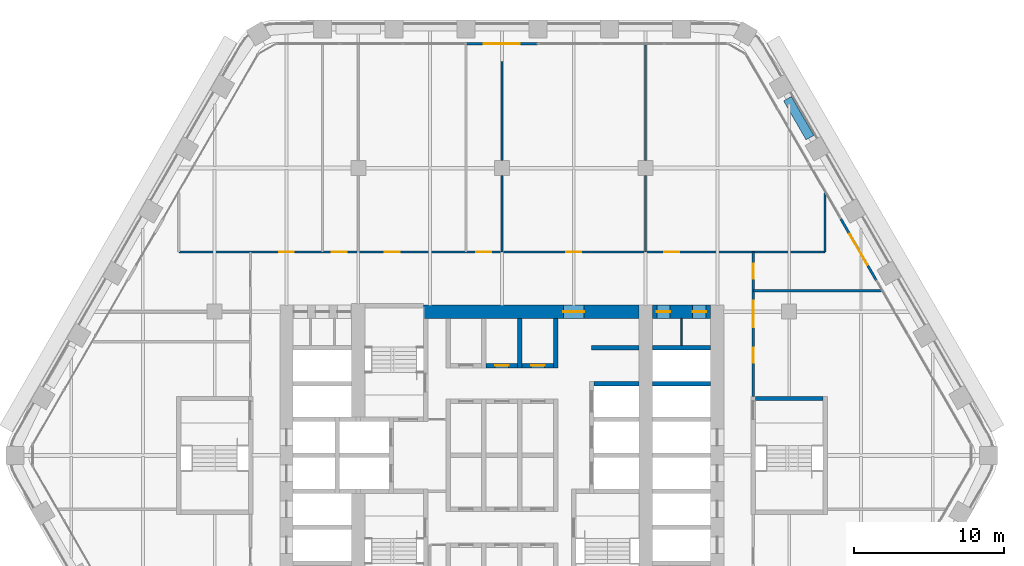
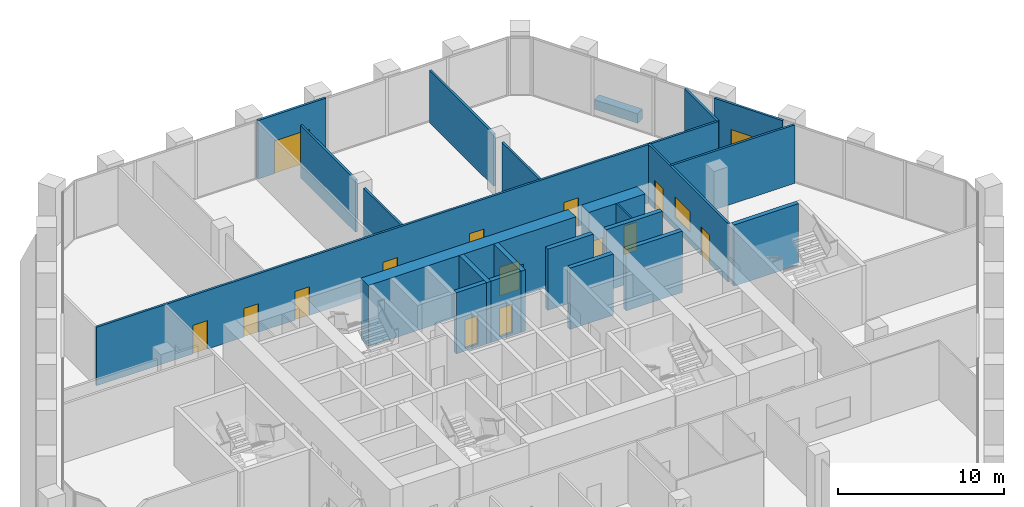
# One storey, part 16 of 22: 23 walls, 15 doors, 1 window, 16 openings.
"""IFC4 building model written with IfcOpenShell, lengths in metres."""

import ifcopenshell
import ifcopenshell.guid

model = None  # the IFC model being written
_history = None  # IfcOwnerHistory: only IFC2X3 demands one
_inside = {}  # id of a spatial element -> (the spatial element, [elements in it])
_under = {}  # id of a project, library or spatial element -> (it, [spatial elements below it])
_declared = {}  # id of a project -> (the project, [libraries it declares])
_typed = {}  # id of a type object -> (the type object, [elements of that type])
_made_of = {}  # id of a material, layer set ... -> (it, [elements and type objects made of it])


def new_model(schema):
    """Start an empty IFC model of exactly this schema.

    Asked for "IFC4X3", IfcOpenShell would pick the latest addendum, in which some entities
    have other attributes; the version numbers below select the first issue.
    IFC2X3 requires an IfcOwnerHistory on every rooted entity: one is made here for all.
    """
    global model, _history
    if schema == "IFC4X3":
        model = ifcopenshell.file(schema_version=(4, 3, 0, 0))
    else:
        model = ifcopenshell.file(schema=schema)
    _inside.clear()
    _under.clear()
    _declared.clear()
    _typed.clear()
    _made_of.clear()
    _history = None
    if model.schema == "IFC2X3":
        org = make("IfcOrganization", Name="unknown")
        user = make(
            "IfcPersonAndOrganization",
            ThePerson=make("IfcPerson", FamilyName="unknown"),
            TheOrganization=org,
        )
        app = make(
            "IfcApplication",
            ApplicationDeveloper=org,
            Version="unknown",
            ApplicationFullName="unknown",
            ApplicationIdentifier="unknown",
        )
        _history = make(
            "IfcOwnerHistory",
            OwningUser=user,
            OwningApplication=app,
            ChangeAction="ADDED",
            CreationDate=0,
        )
    return model


def make(cls, **values):
    """One entity of the class cls with the attributes given. An attribute that is None is left unset."""
    return model.create_entity(
        cls, **{name: value for name, value in values.items() if value is not None}
    )


def rooted(cls, **values):
    """An entity with a GlobalId (a new one), such as an element, a storey or a relation."""
    return make(cls, GlobalId=ifcopenshell.guid.new(), OwnerHistory=_history, **values)


def si_unit(unit_type, name, prefix=None):
    """IfcSIUnit, for example si_unit("LENGTHUNIT", "METRE", prefix="MILLI")."""
    return make("IfcSIUnit", UnitType=unit_type, Prefix=prefix, Name=name)


def assignment(units):
    """IfcUnitAssignment: the units of a project."""
    return None if units is None else make("IfcUnitAssignment", Units=units)


def point(xyz):
    """IfcCartesianPoint."""
    return None if xyz is None else make("IfcCartesianPoint", Coordinates=xyz)


def direction(xyz):
    """IfcDirection."""
    return None if xyz is None else make("IfcDirection", DirectionRatios=xyz)


def frame(location, z_axis=None, x_axis=None):
    """IfcAxis2Placement3D, a coordinate frame: its origin and axes. An axis left out is left unset."""
    return make(
        "IfcAxis2Placement3D",
        Location=point(location),
        Axis=direction(z_axis),
        RefDirection=direction(x_axis),
    )


def frame_2d(location, x_axis=None):
    """IfcAxis2Placement2D, a coordinate frame in the plane: its origin and x axis."""
    return make(
        "IfcAxis2Placement2D", Location=point(location), RefDirection=direction(x_axis)
    )


def origin():
    """The frame at (0, 0, 0) with its axes left unset."""
    return frame((0.0, 0.0, 0.0))


def place(relative_to, where):
    """IfcLocalPlacement: puts the frame where relative to a parent placement (None: the world)."""
    return make(
        "IfcLocalPlacement", PlacementRelTo=relative_to, RelativePlacement=where
    )


def context(
    kind, dimensions, precision=None, world=None, true_north=None, identifier=None
):
    """IfcGeometricRepresentationContext, for example the 3D "Model" context."""
    return make(
        "IfcGeometricRepresentationContext",
        ContextIdentifier=identifier,
        ContextType=kind,
        CoordinateSpaceDimension=dimensions,
        Precision=precision,
        WorldCoordinateSystem=world,
        TrueNorth=true_north,
    )


def subcontext(parent, identifier, kind, view, scale=None):
    """IfcGeometricRepresentationSubContext, for example "Body" below "Model"."""
    return make(
        "IfcGeometricRepresentationSubContext",
        ContextIdentifier=identifier,
        ContextType=kind,
        ParentContext=parent,
        TargetScale=scale,
        TargetView=view,
    )


def project(units=None, contexts=None):
    """IfcProject with its units and contexts."""
    return rooted(
        "IfcProject",
        Name="project",
        RepresentationContexts=contexts,
        UnitsInContext=assignment(units),
    )


def spatial(cls, under=None, at=None, **own):
    """A site, building, storey or space (cls), placed at a placement, below another one or the project."""
    s = rooted(cls, ObjectPlacement=at, **own)
    if under is not None:
        _under.setdefault(under.id(), (under, []))[1].append(s)
    return s


def profile(cls, at=None, kind="AREA", **sizes):
    """A parametric profile (cls). Its sizes go by their IFC names, for example OverallWidth=200.0."""
    return make(cls, ProfileType=kind, Position=at, **sizes)


def rectangle(**sizes):
    """IfcRectangleProfileDef."""
    return profile("IfcRectangleProfileDef", **sizes)


def extrude(swept, where, along, depth):
    """IfcExtrudedAreaSolid: the profile swept, set in the frame where, extruded along a direction by depth."""
    return make(
        "IfcExtrudedAreaSolid",
        SweptArea=swept,
        Position=where,
        ExtrudedDirection=direction(along),
        Depth=depth,
    )


def shape(context_of_items, identifier, shape_type, items):
    """IfcShapeRepresentation: the items that make up one representation, for example the "Body"."""
    return make(
        "IfcShapeRepresentation",
        ContextOfItems=context_of_items,
        RepresentationIdentifier=identifier,
        RepresentationType=shape_type,
        Items=items,
    )


def material(Name=None, Category=None):
    """IfcMaterial."""
    return make("IfcMaterial", Name=Name, Category=Category)


def layer(
    of_material, thickness, ventilated=None, Name=None, Category=None, Priority=None
):
    """IfcMaterialLayer: one layer of a wall or slab, of a material (None: an air gap)."""
    return make(
        "IfcMaterialLayer",
        Material=of_material,
        LayerThickness=thickness,
        IsVentilated=ventilated,
        Name=Name,
        Category=Category,
        Priority=Priority,
    )


def layer_set(layers, Name=None):
    """IfcMaterialLayerSet."""
    return make("IfcMaterialLayerSet", MaterialLayers=layers, LayerSetName=Name)


def made_of(thing, what):
    """Note that an element or type object is made of a material, layer set ...; save() writes the relation."""
    if what is not None:
        _made_of.setdefault(what.id(), (what, []))[1].append(thing)
    return thing


def type_object(cls, material=None, **own):
    """A type object (cls), such as IfcWallType, which elements share."""
    return made_of(rooted(cls, **own), material)


def element(
    cls,
    number,
    at=None,
    inside=None,
    cuts=None,
    type_object=None,
    material=None,
    context=None,
    identifier="Body",
    shape_type=None,
    held_by="IfcProductDefinitionShape",
    body=None,
    shapes=None,
    **own,
):
    """One element of the class cls, such as IfcWall. Its Tag is "e" and its number.

    at: its placement. inside: the storey or other place that contains it. cuts: it is an
    opening in that element (IfcRelVoidsElement). A single representation is given by context,
    identifier, shape_type and body (its items); several are given by shapes. held_by: the class
    of the entity that holds the representations. save() writes the other relations.
    """
    e = rooted(cls, Tag="e%d" % number, ObjectPlacement=at, **own)
    if body is not None:
        shapes = [shape(context, identifier, shape_type, body)]
    if shapes is not None:
        e.Representation = make(held_by, Representations=shapes)
    if inside is not None:
        _inside.setdefault(inside.id(), (inside, []))[1].append(e)
    if cuts is not None:
        rooted(
            "IfcRelVoidsElement", RelatingBuildingElement=cuts, RelatedOpeningElement=e
        )
    if type_object is not None:
        _typed.setdefault(type_object.id(), (type_object, []))[1].append(e)
    return made_of(e, material)


def fill(opening, filler):
    """IfcRelFillsElement: the door or window that sits in an opening."""
    return rooted(
        "IfcRelFillsElement",
        RelatingOpeningElement=opening,
        RelatedBuildingElement=filler,
    )


def aggregate(whole, parts):
    """IfcRelAggregates: a whole, such as a stair, and the parts it consists of."""
    return rooted("IfcRelAggregates", RelatingObject=whole, RelatedObjects=parts)


def save(model, path):
    """Write the relations noted so far, then the file.

    IfcRelAggregates (storeys below a building ...), IfcRelContainedInSpatialStructure (elements
    in a storey), IfcRelDefinesByType, IfcRelAssociatesMaterial and IfcRelDeclares: one each for
    every whole, place, type object, material and project.
    """
    for whole, parts in _under.values():
        aggregate(whole, parts)
    for where, things in _inside.values():
        rooted(
            "IfcRelContainedInSpatialStructure",
            RelatedElements=things,
            RelatingStructure=where,
        )
    for kind, things in _typed.values():
        rooted("IfcRelDefinesByType", RelatedObjects=things, RelatingType=kind)
    for what, things in _made_of.values():
        rooted("IfcRelAssociatesMaterial", RelatedObjects=things, RelatingMaterial=what)
    for by, libraries in _declared.values():
        rooted("IfcRelDeclares", RelatingContext=by, RelatedDefinitions=libraries)
    model.write(path)


model = new_model("IFC4")

# Units and contexts
model_context = context("Model", 3, precision=1e-05, world=origin(), true_north=direction((0.0, 1.0)))
body_context = subcontext(model_context, "Body", "Model", "MODEL_VIEW")
ifc_project = project(units=[si_unit("LENGTHUNIT", "METRE"), si_unit("AREAUNIT", "SQUARE_METRE"), si_unit("VOLUMEUNIT", "CUBIC_METRE"), si_unit("PLANEANGLEUNIT", "RADIAN"), si_unit("MASSUNIT", "GRAM", prefix="KILO")], contexts=[model_context])

# Site, building, storey
site_placement = place(None, origin())
site = spatial("IfcSite", under=ifc_project, at=site_placement, CompositionType="ELEMENT")
building_placement = place(site_placement, origin())
building = spatial("IfcBuilding", under=site, at=building_placement, Name="Kolab Exchange Tower", CompositionType="ELEMENT")
storey_placement = place(building_placement, frame((0.0, 0.0, 82.39990234375)))
storey = spatial("IfcBuildingStorey", under=building, at=storey_placement, Name="L15", CompositionType="ELEMENT", Elevation=82.39990234375)

# Wall, opening, door
ifc_material_1 = material(Name="Concrete C70/85", Category="concrete")
ifc_layer_1 = layer(ifc_material_1, 0.89990234375)
ifc_layer_set_1 = layer_set([ifc_layer_1], Name="Concrete C70/85")
wall_type_1 = type_object("IfcWallType", Name="CORE WALL 900 C70/85", PredefinedType="SHEAR", material=ifc_layer_set_1)
wall_1_placement = place(storey_placement, frame((-5.25, 9.60009765625, -0.199951171875), z_axis=(0.0, 0.0, 1.0), x_axis=(1.0, 0.0, 0.0)))
wall_1 = element("IfcWall", 1, at=wall_1_placement, inside=storey, type_object=wall_type_1, Name="wall/L15/core/052", PredefinedType="SHEAR", context=body_context, shape_type="SweptSolid", body=[
    extrude(rectangle(XDim=14.39990234375, YDim=0.89990234375, at=frame_2d((7.199951171875, 0.0))), origin(), (0.0, 0.0, 1.0), 4.5),
])
opening_1_placement = place(wall_1_placement, frame((9.35009765625, 0.0, 0.199951171875)))
opening_1 = element("IfcOpeningElement", 2, at=opening_1_placement, cuts=wall_1, Name="Opening D5-008", PredefinedType="OPENING", context=body_context, shape_type="SweptSolid", body=[
    extrude(rectangle(XDim=1.39990234375, YDim=2.10009765625, at=frame_2d((0.699951171875, 1.050048828125))), frame((0.0, 0.4599609375, 0.0), z_axis=(0.0, -1.0, 0.0), x_axis=(1.0, 0.0, 0.0)), (0.0, 0.0, 1.0), 0.919921875),
])
ifc_material_2 = material(Name="Steel S235", Category="steel")
door_type_1 = type_object("IfcDoorType", Name="CORE DOOR 1400 EI 120", OperationType="DOUBLE_DOOR_SINGLE_SWING", PredefinedType="DOOR", material=ifc_material_2)
door_1_placement = place(opening_1_placement, frame((1.39990234375, 0.0, 0.0), z_axis=(0.0, 0.0, 1.0), x_axis=(-1.0, 0.0, 0.0)))
door_1 = element("IfcDoor", 3, at=door_1_placement, inside=storey, type_object=door_type_1, Name="Core lobby door", OperationType="SINGLE_SWING_LEFT", OverallHeight=2.10009765625, OverallWidth=1.39990234375, PredefinedType="DOOR", context=body_context, shape_type="SweptSolid", body=[
    extrude(rectangle(XDim=1.39990234375, YDim=2.10009765625, at=frame_2d((0.699951171875, 1.050048828125))), frame((0.0, 0.02490234375, 0.0), z_axis=(0.0, -1.0, 0.0), x_axis=(1.0, 0.0, 0.0)), (0.0, 0.0, 1.0), 0.050048828125),
])
fill(opening_1, door_1)

# Wall, openings, doors
wall_2_placement = place(storey_placement, frame((10.050048828125, 9.60009765625, -0.199951171875), z_axis=(0.0, 0.0, 1.0), x_axis=(1.0, 0.0, 0.0)))
wall_2 = element("IfcWall", 4, at=wall_2_placement, inside=storey, type_object=wall_type_1, Name="wall/L15/core/053", PredefinedType="SHEAR", context=body_context, shape_type="SweptSolid", body=[
    extrude(rectangle(XDim=3.89990234375, YDim=0.89990234375, at=frame_2d((1.949951171875, 0.0))), origin(), (0.0, 0.0, 1.0), 4.5),
])
opening_2_placement = place(wall_2_placement, frame((0.300048828125, 0.0, 0.199951171875)))
opening_2 = element("IfcOpeningElement", 5, at=opening_2_placement, cuts=wall_2, Name="Opening D6-222", PredefinedType="OPENING", context=body_context, shape_type="SweptSolid", body=[
    extrude(rectangle(XDim=0.89990234375, YDim=2.10009765625, at=frame_2d((0.449951171875, 1.050048828125))), frame((0.0, 0.4599609375, 0.0), z_axis=(0.0, -1.0, 0.0), x_axis=(1.0, 0.0, 0.0)), (0.0, 0.0, 1.0), 0.919921875),
])
opening_3_placement = place(wall_2_placement, frame((2.699951171875, 0.0, 0.199951171875)))
opening_3 = element("IfcOpeningElement", 6, at=opening_3_placement, cuts=wall_2, Name="Opening D6-223", PredefinedType="OPENING", context=body_context, shape_type="SweptSolid", body=[
    extrude(rectangle(XDim=0.89990234375, YDim=2.10009765625, at=frame_2d((0.449951171875, 1.050048828125))), frame((0.0, 0.4599609375, 0.0), z_axis=(0.0, -1.0, 0.0), x_axis=(1.0, 0.0, 0.0)), (0.0, 0.0, 1.0), 0.919921875),
])
door_type_2 = type_object("IfcDoorType", Name="CORE DOOR 900 EI 120", OperationType="SINGLE_SWING_LEFT", PredefinedType="DOOR", material=ifc_material_2)
door_2_placement = place(opening_2_placement, frame((0.89990234375, 0.0, 0.0), z_axis=(0.0, 0.0, 1.0), x_axis=(-1.0, 0.0, 0.0)))
door_2 = element("IfcDoor", 7, at=door_2_placement, inside=storey, type_object=door_type_2, Name="Service room door", OperationType="SINGLE_SWING_RIGHT", OverallHeight=2.10009765625, OverallWidth=0.89990234375, PredefinedType="DOOR", context=body_context, shape_type="SweptSolid", body=[
    extrude(rectangle(XDim=0.89990234375, YDim=2.10009765625, at=frame_2d((0.449951171875, 1.050048828125))), frame((0.0, 0.02490234375, 0.0), z_axis=(0.0, -1.0, 0.0), x_axis=(1.0, 0.0, 0.0)), (0.0, 0.0, 1.0), 0.050048828125),
])
fill(opening_2, door_2)
door_3_placement = place(opening_3_placement, frame((0.89990234375, 0.0, 0.0), z_axis=(0.0, 0.0, 1.0), x_axis=(-1.0, 0.0, 0.0)))
door_3 = element("IfcDoor", 8, at=door_3_placement, inside=storey, type_object=door_type_2, Name="Service room door", OperationType="SINGLE_SWING_RIGHT", OverallHeight=2.10009765625, OverallWidth=0.89990234375, PredefinedType="DOOR", context=body_context, shape_type="SweptSolid", body=[
    extrude(rectangle(XDim=0.89990234375, YDim=2.10009765625, at=frame_2d((0.449951171875, 1.050048828125))), frame((0.0, 0.02490234375, 0.0), z_axis=(0.0, -1.0, 0.0), x_axis=(1.0, 0.0, 0.0)), (0.0, 0.0, 1.0), 0.050048828125),
])
fill(opening_3, door_3)

# Wall, opening, door
ifc_material_3 = material(Name="Aluminium EN AW-6063 T6", Category="aluminium")
ifc_layer_2 = layer(ifc_material_3, 0.159912109375)
ifc_layer_set_2 = layer_set([ifc_layer_2], Name="Aluminium EN AW-6063 T6")
wall_type_2 = type_object("IfcWallType", Name="DOOR SURROUND WALL 160 ALUMINIUM FRAMED", PredefinedType="PARTITIONING", material=ifc_layer_set_2)
wall_3_placement = place(storey_placement, frame((-2.3701171875, 27.5185546875, 0.0), z_axis=(0.0, 0.0, 1.0), x_axis=(1.0, 0.0, 0.0)))
wall_3 = element("IfcWall", 9, at=wall_3_placement, inside=storey, type_object=wall_type_2, Name="Door surround wall", PredefinedType="PARTITIONING", context=body_context, shape_type="SweptSolid", body=[
    extrude(rectangle(XDim=4.740234375, YDim=0.159912109375, at=frame_2d((2.3701171875, 0.0))), origin(), (0.0, 0.0, 1.0), 4.300048828125),
])
opening_4_placement = place(wall_3_placement, frame((1.169921875, 0.0, 0.0)))
opening_4 = element("IfcOpeningElement", 10, at=opening_4_placement, cuts=wall_3, Name="Opening GD1-034", PredefinedType="OPENING", context=body_context, shape_type="SweptSolid", body=[
    extrude(rectangle(XDim=2.39990234375, YDim=2.39990234375, at=frame_2d((1.199951171875, 1.199951171875))), frame((0.0, 0.08984375, 0.0), z_axis=(0.0, -1.0, 0.0), x_axis=(1.0, 0.0, 0.0)), (0.0, 0.0, 1.0), 0.179931640625),
])
door_type_3 = type_object("IfcDoorType", Name="LOGGIA SLIDING GLASS DOOR 2400 X 2400", OperationType="DOUBLE_DOOR_SINGLE_SWING", PredefinedType="DOOR", material=ifc_material_3)
door_4_placement = place(opening_4_placement, origin())
door_4 = element("IfcDoor", 11, at=door_4_placement, inside=storey, type_object=door_type_3, Name="Loggia door", OperationType="DOUBLE_DOOR_SLIDING", OverallHeight=2.39990234375, OverallWidth=2.39990234375, PredefinedType="DOOR", context=body_context, shape_type="SweptSolid", body=[
    extrude(rectangle(XDim=2.39990234375, YDim=2.39990234375, at=frame_2d((1.199951171875, 1.199951171875))), frame((0.0, 0.02490234375, 0.0), z_axis=(0.0, -1.0, 0.0), x_axis=(1.0, 0.0, 0.0)), (0.0, 0.0, 1.0), 0.050048828125),
])
fill(opening_4, door_4)

wall_4_placement = place(storey_placement, frame((22.646728515625, 15.811767578125, 0.0), z_axis=(0.0, 0.0, 1.0), x_axis=(0.499978080042, -0.866038058908, 0.0)))
wall_4 = element("IfcWall", 12, at=wall_4_placement, inside=storey, type_object=wall_type_2, Name="Door surround wall", PredefinedType="PARTITIONING", context=body_context, shape_type="SweptSolid", body=[
    extrude(rectangle(XDim=4.739990234375, YDim=0.159912109375, at=frame_2d((2.3701171875, 0.0))), origin(), (0.0, 0.0, 1.0), 4.300048828125),
])
opening_5_placement = place(wall_4_placement, frame((1.169921875, 0.0, 0.0)))
opening_5 = element("IfcOpeningElement", 13, at=opening_5_placement, cuts=wall_4, Name="Opening GD1-035", PredefinedType="OPENING", context=body_context, shape_type="SweptSolid", body=[
    extrude(rectangle(XDim=2.39990234375, YDim=2.39990234375, at=frame_2d((1.199951171875, 1.199951171875))), frame((0.0, 0.08984375, 0.0), z_axis=(0.0, -1.0, 0.0), x_axis=(1.0, 0.0, 0.0)), (0.0, 0.0, 1.0), 0.179931640625),
])
door_5_placement = place(opening_5_placement, origin())
door_5 = element("IfcDoor", 14, at=door_5_placement, inside=storey, type_object=door_type_3, Name="Loggia door", OperationType="DOUBLE_DOOR_SLIDING", OverallHeight=2.39990234375, OverallWidth=2.39990234375, PredefinedType="DOOR", context=body_context, shape_type="SweptSolid", body=[
    extrude(rectangle(XDim=2.39990234375, YDim=2.39990234375, at=frame_2d((1.199951171875, 1.199951171875))), frame((0.0, 0.02490234375, 0.0), z_axis=(0.0, -1.0, 0.0), x_axis=(1.0, 0.0, 0.0)), (0.0, 0.0, 1.0), 0.050048828125),
])
fill(opening_5, door_5)

# Walls
ifc_material_4 = material(Name="Concrete C50/60", Category="concrete")
ifc_layer_3 = layer(ifc_material_4, 0.300048828125)
ifc_layer_set_3 = layer_set([ifc_layer_3], Name="Concrete C50/60")
wall_type_3 = type_object("IfcWallType", Name="LIFT SHAFT WALL 300 C50/60", PredefinedType="STANDARD", material=ifc_layer_set_3)
wall_5_placement = place(storey_placement, frame((6.14990234375, 4.800048828125, -0.199951171875), z_axis=(0.0, 0.0, 1.0), x_axis=(1.0, 0.0, 0.0)))
element("IfcWall", 15, at=wall_5_placement, inside=storey, type_object=wall_type_3, Name="wall/L15/core/043", PredefinedType="STANDARD", context=body_context, shape_type="SweptSolid", body=[
    extrude(rectangle(XDim=3.0, YDim=0.300048828125, at=frame_2d((1.5, 0.0))), origin(), (0.0, 0.0, 1.0), 4.5),
])
wall_6_placement = place(storey_placement, frame((10.050048828125, 4.800048828125, -0.199951171875), z_axis=(0.0, 0.0, 1.0), x_axis=(1.0, 0.0, 0.0)))
element("IfcWall", 16, at=wall_6_placement, inside=storey, type_object=wall_type_3, Name="wall/L15/core/044", PredefinedType="STANDARD", context=body_context, shape_type="SweptSolid", body=[
    extrude(rectangle(XDim=3.89990234375, YDim=0.300048828125, at=frame_2d((1.949951171875, 0.0))), origin(), (0.0, 0.0, 1.0), 4.5),
])

# Wall, opening, door
wall_7_placement = place(storey_placement, frame((-1.050048828125, 6.0, -0.199951171875), z_axis=(0.0, 0.0, 1.0), x_axis=(1.0, 0.0, 0.0)))
wall_7 = element("IfcWall", 17, at=wall_7_placement, inside=storey, type_object=wall_type_3, Name="wall/L15/core/046", PredefinedType="STANDARD", context=body_context, shape_type="SweptSolid", body=[
    extrude(rectangle(XDim=2.10009765625, YDim=0.300048828125, at=frame_2d((1.050048828125, 0.0))), origin(), (0.0, 0.0, 1.0), 4.5),
])
opening_6_placement = place(wall_7_placement, frame((0.60009765625, 0.0, 0.199951171875)))
opening_6 = element("IfcOpeningElement", 18, at=opening_6_placement, cuts=wall_7, Name="Opening D6-214", PredefinedType="OPENING", context=body_context, shape_type="SweptSolid", body=[
    extrude(rectangle(XDim=0.89990234375, YDim=2.10009765625, at=frame_2d((0.449951171875, 1.050048828125))), frame((0.0, 0.16015625, 0.0), z_axis=(0.0, -1.0, 0.0), x_axis=(1.0, 0.0, 0.0)), (0.0, 0.0, 1.0), 0.320068359375),
])
door_6_placement = place(opening_6_placement, origin())
door_6 = element("IfcDoor", 19, at=door_6_placement, inside=storey, type_object=door_type_2, Name="Service room door", OperationType="SINGLE_SWING_RIGHT", OverallHeight=2.10009765625, OverallWidth=0.89990234375, PredefinedType="DOOR", context=body_context, shape_type="SweptSolid", body=[
    extrude(rectangle(XDim=0.89990234375, YDim=2.10009765625, at=frame_2d((0.449951171875, 1.050048828125))), frame((0.0, 0.02490234375, 0.0), z_axis=(0.0, -1.0, 0.0), x_axis=(1.0, 0.0, 0.0)), (0.0, 0.0, 1.0), 0.050048828125),
])
fill(opening_6, door_6)

wall_8_placement = place(storey_placement, frame((1.35009765625, 6.0, -0.199951171875), z_axis=(0.0, 0.0, 1.0), x_axis=(1.0, 0.0, 0.0)))
wall_8 = element("IfcWall", 20, at=wall_8_placement, inside=storey, type_object=wall_type_3, Name="wall/L15/core/047", PredefinedType="STANDARD", context=body_context, shape_type="SweptSolid", body=[
    extrude(rectangle(XDim=2.099853515625, YDim=0.300048828125, at=frame_2d((1.0498046875, 0.0))), origin(), (0.0, 0.0, 1.0), 4.5),
])
opening_7_placement = place(wall_8_placement, frame((0.60009765625, 0.0, 0.199951171875)))
opening_7 = element("IfcOpeningElement", 21, at=opening_7_placement, cuts=wall_8, Name="Opening D6-191", PredefinedType="OPENING", context=body_context, shape_type="SweptSolid", body=[
    extrude(rectangle(XDim=0.89990234375, YDim=2.10009765625, at=frame_2d((0.449951171875, 1.050048828125))), frame((0.0, 0.16015625, 0.0), z_axis=(0.0, -1.0, 0.0), x_axis=(1.0, 0.0, 0.0)), (0.0, 0.0, 1.0), 0.320068359375),
])
door_7_placement = place(opening_7_placement, origin())
door_7 = element("IfcDoor", 22, at=door_7_placement, inside=storey, type_object=door_type_2, Name="Service room door", OperationType="SINGLE_SWING_RIGHT", OverallHeight=2.10009765625, OverallWidth=0.89990234375, PredefinedType="DOOR", context=body_context, shape_type="SweptSolid", body=[
    extrude(rectangle(XDim=0.89990234375, YDim=2.10009765625, at=frame_2d((0.449951171875, 1.050048828125))), frame((0.0, 0.02490234375, 0.0), z_axis=(0.0, -1.0, 0.0), x_axis=(1.0, 0.0, 0.0)), (0.0, 0.0, 1.0), 0.050048828125),
])
fill(opening_7, door_7)

# Walls
wall_9_placement = place(storey_placement, frame((6.0, 7.199951171875, -0.199951171875), z_axis=(0.0, 0.0, 1.0), x_axis=(1.0, 0.0, 0.0)))
element("IfcWall", 23, at=wall_9_placement, inside=storey, type_object=wall_type_3, Name="wall/L15/core/049", PredefinedType="STANDARD", context=body_context, shape_type="SweptSolid", body=[
    extrude(rectangle(XDim=3.14990234375, YDim=0.300048828125, at=frame_2d((1.574951171875, 0.0))), origin(), (0.0, 0.0, 1.0), 4.5),
])
wall_10_placement = place(storey_placement, frame((10.050048828125, 7.199951171875, -0.199951171875), z_axis=(0.0, 0.0, 1.0), x_axis=(1.0, 0.0, 0.0)))
element("IfcWall", 24, at=wall_10_placement, inside=storey, type_object=wall_type_3, Name="wall/L15/core/050", PredefinedType="STANDARD", context=body_context, shape_type="SweptSolid", body=[
    extrude(rectangle(XDim=3.89990234375, YDim=0.300048828125, at=frame_2d((1.949951171875, 0.0))), origin(), (0.0, 0.0, 1.0), 4.5),
])
for number, where, z_axis, x_axis, name in (
    (25, (1.199951171875, 5.85009765625, -0.199951171875), (0.0, 0.0, 1.0), (0.0, 1.0, 0.0), "wall/L15/core/074"),
    (26, (3.60009765625, 5.85009765625, -0.199951171875), (0.0, 0.0, 1.0), (0.0, 1.0, 0.0), "wall/L15/core/077"),
):
    element("IfcWall", number, at=place(storey_placement, frame(where, z_axis=z_axis, x_axis=x_axis)), inside=storey, type_object=wall_type_3, Name=name, PredefinedType="STANDARD", context=body_context, shape_type="SweptSolid", body=[
        extrude(rectangle(XDim=3.2998046875, YDim=0.300048828125, at=frame_2d((1.64990234375, 0.0))), origin(), (0.0, 0.0, 1.0), 4.5),
    ])
ifc_material_5 = material(Name="Gypsum board", Category="gypsum")
ifc_layer_4 = layer(ifc_material_5, 0.10009765625)
ifc_layer_set_4 = layer_set([ifc_layer_4], Name="Gypsum board")
wall_type_4 = type_object("IfcWallType", Name="PARTITION 100", PredefinedType="PARTITIONING", material=ifc_layer_set_4)
wall_11_placement = place(storey_placement, frame((12.0, 7.35009765625, 0.0), z_axis=(0.0, 0.0, 1.0), x_axis=(0.0, 1.0, 0.0)))
element("IfcWall", 27, at=wall_11_placement, inside=storey, type_object=wall_type_4, Name="Partition 004", PredefinedType="PARTITIONING", context=body_context, shape_type="SweptSolid", body=[
    extrude(rectangle(XDim=1.7998046875, YDim=0.10009765625, at=frame_2d((0.89990234375, 0.0))), origin(), (0.0, 0.0, 1.0), 4.300048828125),
])
ifc_layer_5 = layer(ifc_material_5, 0.14990234375)
ifc_layer_set_5 = layer_set([ifc_layer_5], Name="Gypsum board")
wall_type_5 = type_object("IfcWallType", Name="PARTITION 150 FIRE-RATED", PredefinedType="PARTITIONING", material=ifc_layer_set_5)
wall_12_placement = place(storey_placement, frame((21.60009765625, 13.60009765625, 0.0), z_axis=(0.0, 0.0, 1.0), x_axis=(0.0, 1.0, 0.0)))
element("IfcWall", 28, at=wall_12_placement, inside=storey, type_object=wall_type_5, Name="Partition 001", PredefinedType="PARTITIONING", context=body_context, shape_type="SweptSolid", body=[
    extrude(rectangle(XDim=3.944580078125, YDim=0.14990234375, at=frame_2d((1.97216796875, 0.0))), origin(), (0.0, 0.0, 1.0), 4.300048828125),
])

# Wall, openings, doors, window
wall_13_placement = place(storey_placement, frame((16.800048828125, 3.949951171875, 0.0), z_axis=(0.0, 0.0, 1.0), x_axis=(0.0, 1.0, 0.0)))
wall_13 = element("IfcWall", 29, at=wall_13_placement, inside=storey, type_object=wall_type_5, Name="Partition 003", PredefinedType="PARTITIONING", context=body_context, shape_type="SweptSolid", body=[
    extrude(rectangle(XDim=9.650146484375, YDim=0.14990234375, at=frame_2d((4.8251953125, 0.0))), origin(), (0.0, 0.0, 1.0), 4.300048828125),
])
opening_8_placement = place(wall_13_placement, frame((2.25, 0.0, 0.0)))
opening_8 = element("IfcOpeningElement", 30, at=opening_8_placement, cuts=wall_13, Name="Opening D1-214", PredefinedType="OPENING", context=body_context, shape_type="SweptSolid", body=[
    extrude(rectangle(XDim=1.0, YDim=2.10009765625, at=frame_2d((0.5, 1.050048828125))), frame((0.0, 0.0849609375, 0.0), z_axis=(0.0, -1.0, 0.0), x_axis=(1.0, 0.0, 0.0)), (0.0, 0.0, 1.0), 0.169921875),
])
opening_9_placement = place(wall_13_placement, frame((7.85009765625, 0.0, 0.0)))
opening_9 = element("IfcOpeningElement", 31, at=opening_9_placement, cuts=wall_13, Name="Opening D1-215", PredefinedType="OPENING", context=body_context, shape_type="SweptSolid", body=[
    extrude(rectangle(XDim=1.0, YDim=2.10009765625, at=frame_2d((0.5, 1.050048828125))), frame((0.0, 0.0849609375, 0.0), z_axis=(0.0, -1.0, 0.0), x_axis=(1.0, 0.0, 0.0)), (0.0, 0.0, 1.0), 0.169921875),
])
opening_10_placement = place(wall_13_placement, frame((4.60009765625, 0.0, 0.89990234375)))
opening_10 = element("IfcOpeningElement", 32, at=opening_10_placement, cuts=wall_13, Name="Opening W1-007", PredefinedType="OPENING", context=body_context, shape_type="SweptSolid", body=[
    extrude(rectangle(XDim=1.800048828125, YDim=1.5, at=frame_2d((0.89990234375, 0.75))), frame((0.0, 0.0849609375, 0.0), z_axis=(0.0, -1.0, 0.0), x_axis=(1.0, 0.0, 0.0)), (0.0, 0.0, 1.0), 0.169921875),
])
door_type_4 = type_object("IfcDoorType", Name="FLUSH DOOR 1000 FD60", OperationType="SINGLE_SWING_LEFT", PredefinedType="DOOR", material=ifc_material_2)
door_8_placement = place(opening_8_placement, frame((1.0, 0.0, 0.0), z_axis=(0.0, 0.0, 1.0), x_axis=(-1.0, 0.0, 0.0)))
door_8 = element("IfcDoor", 33, at=door_8_placement, inside=storey, type_object=door_type_4, Name="Door L15-062", OperationType="SINGLE_SWING_LEFT", OverallHeight=2.10009765625, OverallWidth=1.0, PredefinedType="DOOR", context=body_context, shape_type="SweptSolid", body=[
    extrude(rectangle(XDim=1.0, YDim=2.10009765625, at=frame_2d((0.5, 1.050048828125))), frame((0.0, 0.02490234375, 0.0), z_axis=(0.0, -1.0, 0.0), x_axis=(1.0, 0.0, 0.0)), (0.0, 0.0, 1.0), 0.050048828125),
])
fill(opening_8, door_8)
door_9_placement = place(opening_9_placement, frame((1.0, 0.0, 0.0), z_axis=(0.0, 0.0, 1.0), x_axis=(-1.0, 0.0, 0.0)))
door_9 = element("IfcDoor", 34, at=door_9_placement, inside=storey, type_object=door_type_4, Name="Door L15-063", OperationType="SINGLE_SWING_RIGHT", OverallHeight=2.10009765625, OverallWidth=1.0, PredefinedType="DOOR", context=body_context, shape_type="SweptSolid", body=[
    extrude(rectangle(XDim=1.0, YDim=2.10009765625, at=frame_2d((0.5, 1.050048828125))), frame((0.0, 0.02490234375, 0.0), z_axis=(0.0, -1.0, 0.0), x_axis=(1.0, 0.0, 0.0)), (0.0, 0.0, 1.0), 0.050048828125),
])
fill(opening_9, door_9)
ifc_material_6 = material(Name="Fire-rated glazing", Category="glass")
window_type = type_object("IfcWindowType", Name="OBSERVATION WINDOW 1800 X 1500 EI 60", PartitioningType="SINGLE_PANEL", PredefinedType="WINDOW", material=ifc_material_6)
window_placement = place(opening_10_placement, origin())
window = element("IfcWindow", 35, at=window_placement, inside=storey, type_object=window_type, Name="Viewing window L15-1", OverallHeight=1.5, OverallWidth=1.800048828125, PartitioningType="SINGLE_PANEL", PredefinedType="WINDOW", context=body_context, shape_type="SweptSolid", body=[
    extrude(rectangle(XDim=1.800048828125, YDim=1.5, at=frame_2d((0.89990234375, 0.75))), frame((0.0, 0.030029296875, 0.0), z_axis=(0.0, -1.0, 0.0), x_axis=(1.0, 0.0, 0.0)), (0.0, 0.0, 1.0), 0.06005859375),
])
fill(opening_10, window)

# Walls
wall_14_placement = place(storey_placement, frame((9.60009765625, 13.60009765625, 0.0), z_axis=(0.0, 0.0, 1.0), x_axis=(0.0, 1.0, 0.0)))
element("IfcWall", 36, at=wall_14_placement, inside=storey, type_object=wall_type_5, Name="Partition 008", PredefinedType="PARTITIONING", context=body_context, shape_type="SweptSolid", body=[
    extrude(rectangle(XDim=5.099853515625, YDim=0.14990234375, at=frame_2d((2.5498046875, 0.0))), origin(), (0.0, 0.0, 1.0), 3.843017578125),
])
wall_15_placement = place(storey_placement, frame((9.60009765625, 19.699951171875, 0.0), z_axis=(0.0, 0.0, 1.0), x_axis=(0.0, 1.0, 0.0)))
element("IfcWall", 37, at=wall_15_placement, inside=storey, type_object=wall_type_5, Name="Partition 009", PredefinedType="PARTITIONING", context=body_context, shape_type="SweptSolid", body=[
    extrude(rectangle(XDim=7.728515625, YDim=0.14990234375, at=frame_2d((3.8642578125, 0.0))), origin(), (0.0, 0.0, 1.0), 3.843017578125),
])
wall_16_placement = place(storey_placement, frame((0.0, 13.60009765625, 0.0), z_axis=(0.0, 0.0, 1.0), x_axis=(0.0, 1.0, 0.0)))
element("IfcWall", 38, at=wall_16_placement, inside=storey, type_object=wall_type_5, Name="Partition 015", PredefinedType="PARTITIONING", context=body_context, shape_type="SweptSolid", body=[
    extrude(rectangle(XDim=5.099853515625, YDim=0.14990234375, at=frame_2d((2.5498046875, 0.0))), origin(), (0.0, 0.0, 1.0), 3.843017578125),
])
wall_17_placement = place(storey_placement, frame((0.0, 19.699951171875, 0.0), z_axis=(0.0, 0.0, 1.0), x_axis=(0.0, 1.0, 0.0)))
element("IfcWall", 39, at=wall_17_placement, inside=storey, type_object=wall_type_5, Name="Partition 016", PredefinedType="PARTITIONING", context=body_context, shape_type="SweptSolid", body=[
    extrude(rectangle(XDim=6.61865234375, YDim=0.14990234375, at=frame_2d((3.309326171875, 0.0))), origin(), (0.0, 0.0, 1.0), 3.843017578125),
])
wall_18_placement = place(storey_placement, frame((16.800048828125, 11.0, 0.0), z_axis=(0.0, 0.0, 1.0), x_axis=(1.0, 0.0, 0.0)))
element("IfcWall", 40, at=wall_18_placement, inside=storey, type_object=wall_type_5, Name="Partition 044", PredefinedType="PARTITIONING", context=body_context, shape_type="SweptSolid", body=[
    extrude(rectangle(XDim=8.578369140625, YDim=0.14990234375, at=frame_2d((4.2890625, 0.0))), origin(), (0.0, 0.0, 1.0), 4.300048828125),
])

# Wall, openings, doors
wall_19_placement = place(storey_placement, frame((-21.60009765625, 13.60009765625, 0.0), z_axis=(0.0, 0.0, 1.0), x_axis=(1.0, 0.0, 0.0)))
wall_19 = element("IfcWall", 41, at=wall_19_placement, inside=storey, type_object=wall_type_5, Name="Partition 045", PredefinedType="PARTITIONING", context=body_context, shape_type="SweptSolid", body=[
    extrude(rectangle(XDim=43.2001953125, YDim=0.14990234375, at=frame_2d((21.60009765625, 0.0))), origin(), (0.0, 0.0, 1.0), 4.300048828125),
])
opening_11_placement = place(wall_19_placement, frame((6.699951171875, 0.0, 0.0)))
opening_11 = element("IfcOpeningElement", 42, at=opening_11_placement, cuts=wall_19, Name="Opening D1-200", PredefinedType="OPENING", context=body_context, shape_type="SweptSolid", body=[
    extrude(rectangle(XDim=1.0, YDim=2.10009765625, at=frame_2d((0.5, 1.050048828125))), frame((0.0, 0.0849609375, 0.0), z_axis=(0.0, -1.0, 0.0), x_axis=(1.0, 0.0, 0.0)), (0.0, 0.0, 1.0), 0.169921875),
])
opening_12_placement = place(wall_19_placement, frame((10.22509765625, 0.0, 0.0)))
opening_12 = element("IfcOpeningElement", 43, at=opening_12_placement, cuts=wall_19, Name="Opening D1-221", PredefinedType="OPENING", context=body_context, shape_type="SweptSolid", body=[
    extrude(rectangle(XDim=1.0, YDim=2.10009765625, at=frame_2d((0.5, 1.050048828125))), frame((0.0, 0.0849609375, 0.0), z_axis=(0.0, -1.0, 0.0), x_axis=(1.0, 0.0, 0.0)), (0.0, 0.0, 1.0), 0.169921875),
])
opening_13_placement = place(wall_19_placement, frame((13.77490234375, 0.0, 0.0)))
opening_13 = element("IfcOpeningElement", 44, at=opening_13_placement, cuts=wall_19, Name="Opening D1-222", PredefinedType="OPENING", context=body_context, shape_type="SweptSolid", body=[
    extrude(rectangle(XDim=1.0, YDim=2.10009765625, at=frame_2d((0.5, 1.050048828125))), frame((0.0, 0.0849609375, 0.0), z_axis=(0.0, -1.0, 0.0), x_axis=(1.0, 0.0, 0.0)), (0.0, 0.0, 1.0), 0.169921875),
])
opening_14_placement = place(wall_19_placement, frame((19.89990234375, 0.0, 0.0)))
opening_14 = element("IfcOpeningElement", 45, at=opening_14_placement, cuts=wall_19, Name="Opening D1-203", PredefinedType="OPENING", context=body_context, shape_type="SweptSolid", body=[
    extrude(rectangle(XDim=1.0, YDim=2.10009765625, at=frame_2d((0.5, 1.050048828125))), frame((0.0, 0.0849609375, 0.0), z_axis=(0.0, -1.0, 0.0), x_axis=(1.0, 0.0, 0.0)), (0.0, 0.0, 1.0), 0.169921875),
])
opening_15_placement = place(wall_19_placement, frame((25.89990234375, 0.0, 0.0)))
opening_15 = element("IfcOpeningElement", 46, at=opening_15_placement, cuts=wall_19, Name="Opening D1-204", PredefinedType="OPENING", context=body_context, shape_type="SweptSolid", body=[
    extrude(rectangle(XDim=1.0, YDim=2.10009765625, at=frame_2d((0.5, 1.050048828125))), frame((0.0, 0.0849609375, 0.0), z_axis=(0.0, -1.0, 0.0), x_axis=(1.0, 0.0, 0.0)), (0.0, 0.0, 1.0), 0.169921875),
])
opening_16_placement = place(wall_19_placement, frame((32.445068359375, 0.0, 0.0)))
opening_16 = element("IfcOpeningElement", 47, at=opening_16_placement, cuts=wall_19, Name="Opening D1-223", PredefinedType="OPENING", context=body_context, shape_type="SweptSolid", body=[
    extrude(rectangle(XDim=1.0, YDim=2.10009765625, at=frame_2d((0.5, 1.050048828125))), frame((0.0, 0.0849609375, 0.0), z_axis=(0.0, -1.0, 0.0), x_axis=(1.0, 0.0, 0.0)), (0.0, 0.0, 1.0), 0.169921875),
])
door_10_placement = place(opening_11_placement, origin())
door_10 = element("IfcDoor", 48, at=door_10_placement, inside=storey, type_object=door_type_4, Name="Door L15-048", OperationType="SINGLE_SWING_RIGHT", OverallHeight=2.10009765625, OverallWidth=1.0, PredefinedType="DOOR", context=body_context, shape_type="SweptSolid", body=[
    extrude(rectangle(XDim=1.0, YDim=2.10009765625, at=frame_2d((0.5, 1.050048828125))), frame((0.0, 0.02490234375, 0.0), z_axis=(0.0, -1.0, 0.0), x_axis=(1.0, 0.0, 0.0)), (0.0, 0.0, 1.0), 0.050048828125),
])
fill(opening_11, door_10)
door_11_placement = place(opening_12_placement, origin())
door_11 = element("IfcDoor", 49, at=door_11_placement, inside=storey, type_object=door_type_4, Name="Door L15-049", OperationType="SINGLE_SWING_LEFT", OverallHeight=2.10009765625, OverallWidth=1.0, PredefinedType="DOOR", context=body_context, shape_type="SweptSolid", body=[
    extrude(rectangle(XDim=1.0, YDim=2.10009765625, at=frame_2d((0.5, 1.050048828125))), frame((0.0, 0.02490234375, 0.0), z_axis=(0.0, -1.0, 0.0), x_axis=(1.0, 0.0, 0.0)), (0.0, 0.0, 1.0), 0.050048828125),
])
fill(opening_12, door_11)
door_12_placement = place(opening_13_placement, origin())
door_12 = element("IfcDoor", 50, at=door_12_placement, inside=storey, type_object=door_type_4, Name="Door L15-050", OperationType="SINGLE_SWING_LEFT", OverallHeight=2.10009765625, OverallWidth=1.0, PredefinedType="DOOR", context=body_context, shape_type="SweptSolid", body=[
    extrude(rectangle(XDim=1.0, YDim=2.10009765625, at=frame_2d((0.5, 1.050048828125))), frame((0.0, 0.02490234375, 0.0), z_axis=(0.0, -1.0, 0.0), x_axis=(1.0, 0.0, 0.0)), (0.0, 0.0, 1.0), 0.050048828125),
])
fill(opening_13, door_12)
door_13_placement = place(opening_14_placement, origin())
door_13 = element("IfcDoor", 51, at=door_13_placement, inside=storey, type_object=door_type_4, Name="Door L15-051", OperationType="SINGLE_SWING_LEFT", OverallHeight=2.10009765625, OverallWidth=1.0, PredefinedType="DOOR", context=body_context, shape_type="SweptSolid", body=[
    extrude(rectangle(XDim=1.0, YDim=2.10009765625, at=frame_2d((0.5, 1.050048828125))), frame((0.0, 0.02490234375, 0.0), z_axis=(0.0, -1.0, 0.0), x_axis=(1.0, 0.0, 0.0)), (0.0, 0.0, 1.0), 0.050048828125),
])
fill(opening_14, door_13)
door_14_placement = place(opening_15_placement, origin())
door_14 = element("IfcDoor", 52, at=door_14_placement, inside=storey, type_object=door_type_4, Name="Door L15-052", OperationType="SINGLE_SWING_LEFT", OverallHeight=2.10009765625, OverallWidth=1.0, PredefinedType="DOOR", context=body_context, shape_type="SweptSolid", body=[
    extrude(rectangle(XDim=1.0, YDim=2.10009765625, at=frame_2d((0.5, 1.050048828125))), frame((0.0, 0.02490234375, 0.0), z_axis=(0.0, -1.0, 0.0), x_axis=(1.0, 0.0, 0.0)), (0.0, 0.0, 1.0), 0.050048828125),
])
fill(opening_15, door_14)
door_15_placement = place(opening_16_placement, origin())
door_15 = element("IfcDoor", 53, at=door_15_placement, inside=storey, type_object=door_type_4, Name="Door L15-053", OperationType="SINGLE_SWING_LEFT", OverallHeight=2.10009765625, OverallWidth=1.0, PredefinedType="DOOR", context=body_context, shape_type="SweptSolid", body=[
    extrude(rectangle(XDim=1.0, YDim=2.10009765625, at=frame_2d((0.5, 1.050048828125))), frame((0.0, 0.02490234375, 0.0), z_axis=(0.0, -1.0, 0.0), x_axis=(1.0, 0.0, 0.0)), (0.0, 0.0, 1.0), 0.050048828125),
])
fill(opening_16, door_15)

# Walls
ifc_material_7 = material(Name="Granite facing", Category="masonry")
ifc_layer_6 = layer(ifc_material_7, 0.0400390625)
ifc_material_8 = material(Name="Concrete C40/50 precast", Category="concrete")
ifc_layer_7 = layer(ifc_material_8, 0.56005859375)
ifc_layer_set_6 = layer_set([ifc_layer_6, ifc_layer_7], Name="Concrete C40/50 precast")
wall_type_6 = type_object("IfcWallType", Name="PLANTER BOX 600 X 700 SOIL DEPTH 550", PredefinedType="USERDEFINED", material=ifc_layer_set_6)
wall_20_placement = place(storey_placement, frame((19.087158203125, 23.837158203125, 0.0), z_axis=(0.0, 0.0, 1.0), x_axis=(0.499990139034, -0.866031096941, 0.0)))
element("IfcWall", 54, at=wall_20_placement, inside=storey, type_object=wall_type_6, Name="Planter", ObjectType="PLANTER", PredefinedType="USERDEFINED", context=body_context, shape_type="SweptSolid", body=[
    extrude(rectangle(XDim=3.0, YDim=0.60009765625, at=frame_2d((1.5, 0.0))), origin(), (0.0, 0.0, 1.0), 0.7001953125),
])
ifc_layer_8 = layer(ifc_material_4, 0.300048828125)
ifc_layer_set_7 = layer_set([ifc_layer_8], Name="Concrete C50/60")
wall_type_7 = type_object("IfcWallType", Name="STAIR ENCLOSURE WALL 300 C50/60", PredefinedType="STANDARD", material=ifc_layer_set_7)
wall_21_placement = place(storey_placement, frame((16.949951171875, 3.800048828125, -0.199951171875), z_axis=(0.0, 0.0, 1.0), x_axis=(1.0, 0.0, 0.0)))
element("IfcWall", 55, at=wall_21_placement, inside=storey, type_object=wall_type_7, Name="wall/L15/core/041", PredefinedType="STANDARD", context=body_context, shape_type="SweptSolid", body=[
    extrude(rectangle(XDim=4.5, YDim=0.300048828125, at=frame_2d((2.25, 0.0))), origin(), (0.0, 0.0, 1.0), 4.5),
])

save(model, "model.ifc")
